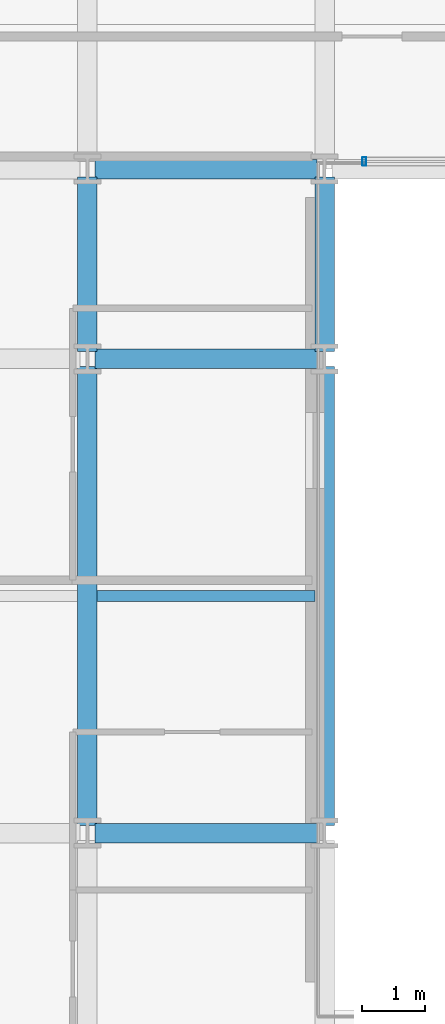
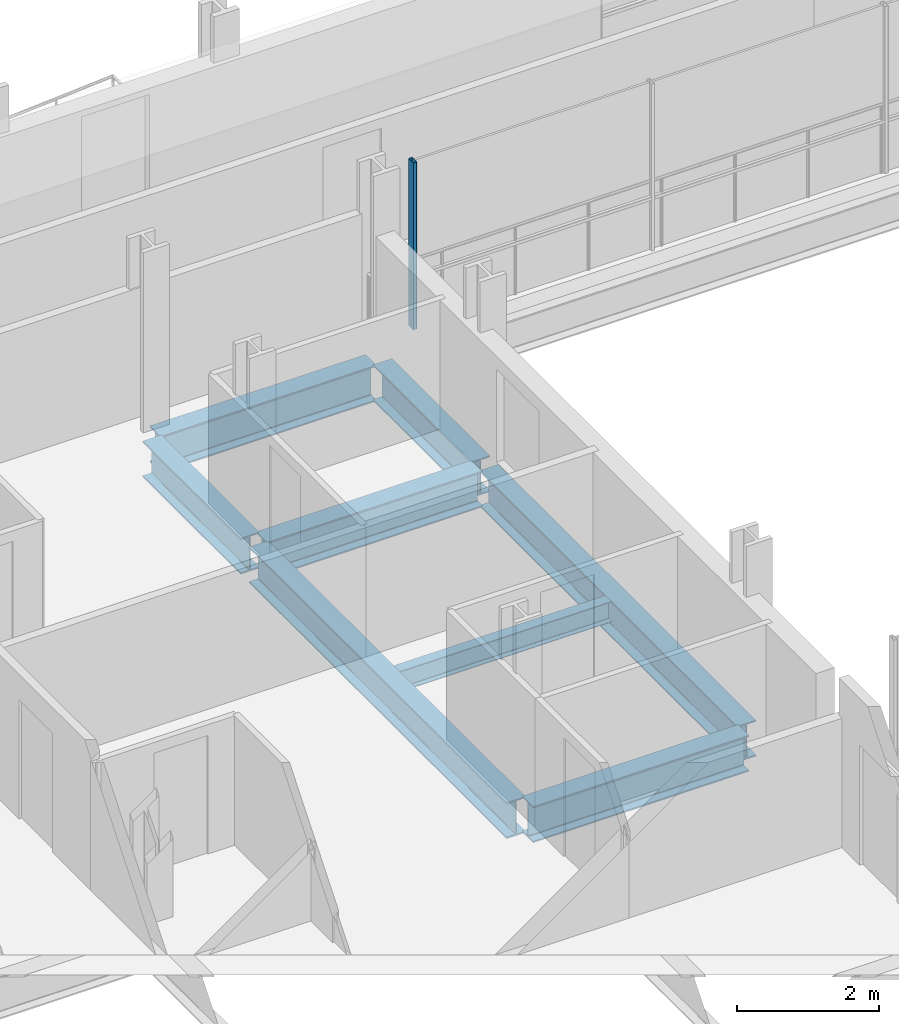
# One storey, part 8 of 39: 8 beams, 1 member, 1 element without a shape of its own.
"""IFC4 building model written with IfcOpenShell, lengths in metres."""

from ifc_helpers import new_model, si_unit, direction, frame, origin, origin_2d, place, context, subcontext, project, spatial, hollow_rectangle, i_section, extrude, material, layer, layer_set, material_profile, profile_set, type_object, element, aggregate, save


model = new_model("IFC4")

# Units and contexts
model_context = context("Model", 3, precision=1e-05, world=origin(), true_north=direction((0.0, 1.0)))
body_context = subcontext(model_context, "Body", "Model", "MODEL_VIEW")
ifc_project = project(units=[si_unit("LENGTHUNIT", "METRE"), si_unit("AREAUNIT", "SQUARE_METRE"), si_unit("VOLUMEUNIT", "CUBIC_METRE"), si_unit("PLANEANGLEUNIT", "RADIAN"), si_unit("MASSUNIT", "GRAM", prefix="KILO")], contexts=[model_context])

# Site, building, storey
site_placement = place(None, origin())
site = spatial("IfcSite", under=ifc_project, at=site_placement, CompositionType="ELEMENT")
building_placement = place(site_placement, origin())
building = spatial("IfcBuilding", under=site, at=building_placement, Name="Brevholm Reach", CompositionType="ELEMENT")
storey_placement = place(building_placement, frame((0.0, 0.0, 40.39990234375)))
storey = spatial("IfcBuildingStorey", under=building, at=storey_placement, Name="L10", CompositionType="ELEMENT", Elevation=40.39990234375)

# Beams
ifc_material_1 = material(Name="Structural Steel S355J2", Category="steel")
ifc_material_profile_1 = material_profile(ifc_material_1, i_section(OverallWidth=0.17138671875, OverallDepth=0.35498046875, WebThickness=0.00732421875, FlangeThickness=0.011474609375, FilletRadius=0.01025390625, at=origin_2d()), Name="UKB 356x171x51")
ifc_profile_set_1 = profile_set([ifc_material_profile_1], Name="Structural Steel S355J2")
beam_type_1 = type_object("IfcBeamType", Name="BM-B356", PredefinedType="BEAM", material=ifc_profile_set_1)
beam_1_placement = place(storey_placement, frame((18.153564453125, 19.75, -0.407470703125), z_axis=(1.0, 0.0, 0.0), x_axis=(0.0, 1.0, 0.0)))
element("IfcBeam", 1, at=beam_1_placement, inside=storey, type_object=beam_type_1, Name="L10 Composite Secondary Floor Beam", PredefinedType="BEAM", context=body_context, shape_type="SweptSolid", body=[
    extrude(i_section(OverallWidth=0.17138671875, OverallDepth=0.35498046875, WebThickness=0.00732421875, FlangeThickness=0.011474609375, FilletRadius=0.01025390625, at=origin_2d()), origin(), (0.0, 0.0, 1.0), 3.44287109375),
])
ifc_material_2 = material(Name="Structural Steel S355J2", Category="steel")
ifc_material_profile_2 = material_profile(ifc_material_2, i_section(OverallWidth=0.30712890625, OverallDepth=0.6201171875, WebThickness=0.01416015625, FlangeThickness=0.023681640625, FilletRadius=0.0166015625, at=origin_2d()), Name="UKB 610x305x179")
ifc_profile_set_2 = profile_set([ifc_material_profile_2], Name="Structural Steel S355J2")
beam_type_2 = type_object("IfcBeamType", Name="BM-UKB610H", PredefinedType="USERDEFINED", material=ifc_profile_set_2)
for number, where, z_axis, x_axis, name in (
    (2, (18.1201171875, 16.0, -0.5400390625), (1.0, 0.0, 0.0), (0.0, 1.0, 0.0), "L10 G-06 Framing Beam"),
    (3, (18.1201171875, 23.5, -0.5400390625), (1.0, 0.0, 0.0), (0.0, 1.0, 0.0), "L10 G-06 Framing Beam"),
    (4, (18.1201171875, 26.5, -0.5400390625), (1.0, 0.0, 0.0), (0.0, 1.0, 0.0), "L10 G-06 Framing Beam"),
):
    element("IfcBeam", number, at=place(storey_placement, frame(where, z_axis=z_axis, x_axis=x_axis)), inside=storey, type_object=beam_type_2, Name=name, ObjectType="GIRDER", PredefinedType="USERDEFINED", context=body_context, shape_type="SweptSolid", body=[
        extrude(i_section(OverallWidth=0.30712890625, OverallDepth=0.6201171875, WebThickness=0.01416015625, FlangeThickness=0.023681640625, FilletRadius=0.0166015625, at=origin_2d()), origin(), (0.0, 0.0, 1.0), 3.509765625),
    ])
beam_2_placement = place(storey_placement, frame((18.0, 16.1201171875, -0.5400390625), z_axis=(0.0, 1.0, 0.0), x_axis=(-1.0, 0.0, 0.0)))
element("IfcBeam", 5, at=beam_2_placement, inside=storey, type_object=beam_type_2, Name="L10 G-06 Framing Beam", ObjectType="GIRDER", PredefinedType="USERDEFINED", context=body_context, shape_type="SweptSolid", body=[
    extrude(i_section(OverallWidth=0.30712890625, OverallDepth=0.6201171875, WebThickness=0.01416015625, FlangeThickness=0.023681640625, FilletRadius=0.0166015625, at=origin_2d()), origin(), (0.0, 0.0, 1.0), 7.259765625),
])
beam_3_placement = place(storey_placement, frame((18.0, 23.6201171875, -0.5400390625), z_axis=(0.0, 1.0, 0.0), x_axis=(-1.0, 0.0, 0.0)))
element("IfcBeam", 6, at=beam_3_placement, inside=storey, type_object=beam_type_2, Name="L10 G-06 Framing Beam", ObjectType="GIRDER", PredefinedType="USERDEFINED", context=body_context, shape_type="SweptSolid", body=[
    extrude(i_section(OverallWidth=0.30712890625, OverallDepth=0.6201171875, WebThickness=0.01416015625, FlangeThickness=0.023681640625, FilletRadius=0.0166015625, at=origin_2d()), origin(), (0.0, 0.0, 1.0), 2.759765625),
])
beam_4_placement = place(storey_placement, frame((21.75, 16.1201171875, -0.5400390625), z_axis=(0.0, 1.0, 0.0), x_axis=(-1.0, 0.0, 0.0)))
element("IfcBeam", 7, at=beam_4_placement, inside=storey, type_object=beam_type_2, Name="L10 G-06 Framing Beam", ObjectType="GIRDER", PredefinedType="USERDEFINED", context=body_context, shape_type="SweptSolid", body=[
    extrude(i_section(OverallWidth=0.30712890625, OverallDepth=0.6201171875, WebThickness=0.01416015625, FlangeThickness=0.023681640625, FilletRadius=0.0166015625, at=origin_2d()), origin(), (0.0, 0.0, 1.0), 7.259765625),
])
beam_5_placement = place(storey_placement, frame((21.75, 23.6201171875, -0.5400390625), z_axis=(0.0, 1.0, 0.0), x_axis=(-1.0, 0.0, 0.0)))
element("IfcBeam", 8, at=beam_5_placement, inside=storey, type_object=beam_type_2, Name="L10 G-06 Framing Beam", ObjectType="GIRDER", PredefinedType="USERDEFINED", context=body_context, shape_type="SweptSolid", body=[
    extrude(i_section(OverallWidth=0.30712890625, OverallDepth=0.6201171875, WebThickness=0.01416015625, FlangeThickness=0.023681640625, FilletRadius=0.0166015625, at=origin_2d()), origin(), (0.0, 0.0, 1.0), 2.759765625),
])

# Curtain wall, member
ifc_material_3 = material(Name="Dark Anodised Aluminium 6063-T6 and Solar-Control Glass", Category="aluminium")
ifc_layer = layer(ifc_material_3, 0.139892578125)
ifc_layer_set = layer_set([ifc_layer], Name="Dark Anodised Aluminium 6063-T6 and Solar-Control Glass")
curtain_wall_type = type_object("IfcCurtainWallType", Name="CW-02", PredefinedType="NOTDEFINED", material=ifc_layer_set)
curtain_wall_placement = place(storey_placement, origin())
curtain_wall = element("IfcCurtainWall", 9, at=curtain_wall_placement, inside=storey, type_object=curtain_wall_type, Name="L10 Curtain Wall CW-02", PredefinedType="NOTDEFINED")
ifc_material_4 = material(Name="Dark Anodised Aluminium 6063-T6", Category="aluminium")
ifc_material_profile_3 = material_profile(ifc_material_4, hollow_rectangle(XDim=0.06005859375, YDim=0.139892578125, WallThickness=0.0048828125, InnerFilletRadius=0.0048828125, OuterFilletRadius=0.010009765625, at=origin_2d()), Name="RHS 140x60x5")
ifc_profile_set_3 = profile_set([ifc_material_profile_3], Name="Dark Anodised Aluminium 6063-T6")
member_type = type_object("IfcMemberType", Name="CWM-140", PredefinedType="MULLION", material=ifc_profile_set_3)
member_placement = place(storey_placement, frame((22.3798828125, 26.6201171875, 0.0), z_axis=(0.0, 0.0, 1.0), x_axis=(-1.0, 0.0, 0.0)))
member = element("IfcMember", 10, at=member_placement, type_object=member_type, Name="CM-140 Mullion 5", PredefinedType="MULLION", context=body_context, shape_type="SweptSolid", body=[
    extrude(hollow_rectangle(XDim=0.06005859375, YDim=0.139892578125, WallThickness=0.0048828125, InnerFilletRadius=0.0048828125, OuterFilletRadius=0.010009765625, at=origin_2d()), origin(), (0.0, 0.0, 1.0), 2.8701171875),
])
aggregate(curtain_wall, [member])

save(model, "model.ifc")
